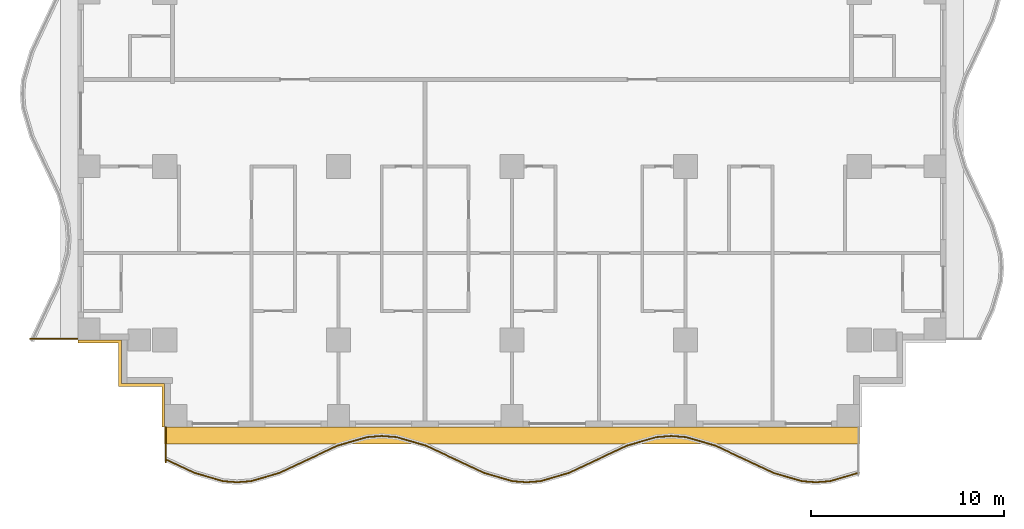
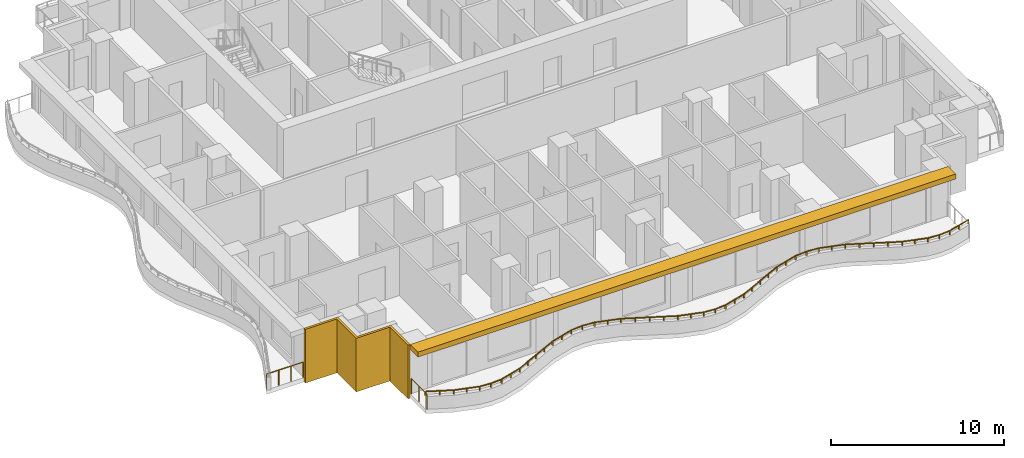
# One storey, part 7 of 10: 3 railings, 2 shading devices.
"""IFC4 building model written with IfcOpenShell, lengths in metres."""

from ifc_helpers import new_model, si_unit, direction, frame, origin, origin_2d, place, context, subcontext, project, spatial, polyline, rectangle, outline, extrude, material, layer, layer_set, type_object, element, save


model = new_model("IFC4")

# Units and contexts
model_context = context("Model", 3, precision=1e-05, world=origin(), true_north=direction((0.0, 1.0)))
body_context = subcontext(model_context, "Body", "Model", "MODEL_VIEW")
ifc_project = project(units=[si_unit("LENGTHUNIT", "METRE"), si_unit("AREAUNIT", "SQUARE_METRE"), si_unit("VOLUMEUNIT", "CUBIC_METRE"), si_unit("PLANEANGLEUNIT", "RADIAN"), si_unit("MASSUNIT", "GRAM", prefix="KILO")], contexts=[model_context])

# Site, building, storey
site_placement = place(None, origin())
site = spatial("IfcSite", under=ifc_project, at=site_placement, CompositionType="ELEMENT")
building_placement = place(site_placement, origin())
building = spatial("IfcBuilding", under=site, at=building_placement, Name="Orbiselva Terraces", CompositionType="ELEMENT")
storey_placement = place(building_placement, frame((0.0, 0.0, 144.0)))
storey = spatial("IfcBuildingStorey", under=building, at=storey_placement, Name="L36", CompositionType="ELEMENT", Elevation=144.0)

# Railings
ifc_material_1 = material(Name="Bonded two-ply safety glass balustrade, stainless steel posts", Category="steel")
railing_type_1 = type_object("IfcRailingType", Name="ENV-BALUSTRADE-1200", PredefinedType="BALUSTRADE", material=ifc_material_1)
railing_1_placement = place(storey_placement, frame((-17.946809, -19.686882, 0.9)))
element("IfcRailing", 1, at=railing_1_placement, inside=storey, type_object=railing_type_1, Name="Balcony balustrade L36 S", PredefinedType="BALUSTRADE", context=body_context, shape_type="SweptSolid", body=[
    extrude(outline(polyline([(0.028868, 0.0), (0.014434, 0.025), (-0.014434, 0.025), (-0.028868, 0.0), (-0.014434, -0.025), (0.014434, -0.025), (0.028868, 0.0)])), frame((0.0, 0.0, 0.275), z_axis=(0.904944359461, -0.425529912322, 0.0), x_axis=(0.425529912322, 0.904944359461, 0.0)), (0.0, 0.0, 1.0), 1.647746),
    extrude(outline(polyline([(0.028868, 0.0), (0.014434, 0.025), (-0.014434, 0.025), (-0.028868, 0.0), (-0.014434, -0.025), (0.014434, -0.025), (0.028868, 0.0)])), frame((1.491118, -0.701165, 0.275), z_axis=(0.960270317007, -0.279071528957, 0.0), x_axis=(0.279071528957, 0.960270317007, 0.0)), (0.0, 0.0, 1.0), 1.539408),
    extrude(outline(polyline([(0.028868, 0.0), (0.014434, 0.025), (-0.014434, 0.025), (-0.028868, 0.0), (-0.014434, -0.025), (0.014434, -0.025), (0.028868, 0.0)])), frame((2.969366, -1.13077, 0.275), z_axis=(0.996947916106, -0.078069536776, 0.0), x_axis=(0.078069536776, 0.996947916106, 0.0)), (0.0, 0.0, 1.0), 0.72967),
    extrude(outline(polyline([(0.028868, 0.0), (0.014434, 0.025), (-0.014434, 0.025), (-0.028868, 0.0), (-0.014434, -0.025), (0.014434, -0.025), (0.028868, 0.0)])), frame((3.696809, -1.187735, 0.275), z_axis=(0.996947916106, 0.078069536776, 0.0), x_axis=(-0.078069536776, 0.996947916106, 0.0)), (0.0, 0.0, 1.0), 0.72967),
    extrude(outline(polyline([(0.028868, 0.0), (0.014434, 0.025), (-0.014434, 0.025), (-0.028868, 0.0), (-0.014434, -0.025), (0.014434, -0.025), (0.028868, 0.0)])), frame((4.424252, -1.13077, 0.275), z_axis=(0.960270317007, 0.279071528957, 0.0), x_axis=(-0.279071528957, 0.960270317007, 0.0)), (0.0, 0.0, 1.0), 1.539408),
    extrude(outline(polyline([(0.028868, 0.0), (0.014434, 0.025), (-0.014434, 0.025), (-0.028868, 0.0), (-0.014434, -0.025), (0.014434, -0.025), (0.028868, 0.0)])), frame((5.9025, -0.701165, 0.275), z_axis=(0.904944359461, 0.425529912322, 0.0), x_axis=(-0.425529912322, 0.904944359461, 0.0)), (0.0, 0.0, 1.0), 1.647746),
    extrude(outline(polyline([(0.028868, 0.0), (0.014434, 0.025), (-0.014434, 0.025), (-0.028868, 0.0), (-0.014434, -0.025), (0.014434, -0.025), (0.028868, 0.0)])), frame((7.393618, 0.0, 0.275), z_axis=(0.904944157382, 0.425530342069, 0.0), x_axis=(-0.425530342069, 0.904944157382, 0.0)), (0.0, 0.0, 1.0), 1.667376),
    extrude(outline(polyline([(0.028868, 0.0), (0.014434, 0.025), (-0.014434, 0.025), (-0.028868, 0.0), (-0.014434, -0.025), (0.014434, -0.025), (0.028868, 0.0)])), frame((8.9025, 0.709519, 0.275), z_axis=(0.960270491427, 0.279070928786, 0.0), x_axis=(-0.279070928786, 0.960270491427, 0.0)), (0.0, 0.0, 1.0), 1.584712),
    extrude(outline(polyline([(0.028868, 0.0), (0.014434, 0.025), (-0.014434, 0.025), (-0.028868, 0.0), (-0.014434, -0.025), (0.014434, -0.025), (0.028868, 0.0)])), frame((10.424252, 1.151766, 0.275), z_axis=(0.996947796737, 0.078071061106, 0.0), x_axis=(-0.078071061106, 0.996947796737, 0.0)), (0.0, 0.0, 1.0), 0.774922),
    extrude(outline(polyline([(0.028868, 0.0), (0.014434, 0.025), (-0.014434, 0.025), (-0.028868, 0.0), (-0.014434, -0.025), (0.014434, -0.025), (0.028868, 0.0)])), frame((11.196809, 1.212265, 0.275), z_axis=(0.996947796737, -0.078071061106, 0.0), x_axis=(0.078071061106, 0.996947796737, 0.0)), (0.0, 0.0, 1.0), 0.774922),
    extrude(outline(polyline([(0.028868, 0.0), (0.014434, 0.025), (-0.014434, 0.025), (-0.028868, 0.0), (-0.014434, -0.025), (0.014434, -0.025), (0.028868, 0.0)])), frame((11.969366, 1.151766, 0.275), z_axis=(0.960270491427, -0.279070928786, 0.0), x_axis=(0.279070928786, 0.960270491427, 0.0)), (0.0, 0.0, 1.0), 1.584712),
    extrude(outline(polyline([(0.028868, 0.0), (0.014434, 0.025), (-0.014434, 0.025), (-0.028868, 0.0), (-0.014434, -0.025), (0.014434, -0.025), (0.028868, 0.0)])), frame((13.491118, 0.709519, 0.275), z_axis=(0.904944157382, -0.425530342069, 0.0), x_axis=(0.425530342069, 0.904944157382, 0.0)), (0.0, 0.0, 1.0), 1.667376),
    extrude(outline(polyline([(0.028868, 0.0), (0.014434, 0.025), (-0.014434, 0.025), (-0.028868, 0.0), (-0.014434, -0.025), (0.014434, -0.025), (0.028868, 0.0)])), frame((15.0, 0.0, 0.275), z_axis=(0.904944359461, -0.425529912322, 0.0), x_axis=(0.425529912322, 0.904944359461, 0.0)), (0.0, 0.0, 1.0), 1.647746),
    extrude(outline(polyline([(0.028868, 0.0), (0.014434, 0.025), (-0.014434, 0.025), (-0.028868, 0.0), (-0.014434, -0.025), (0.014434, -0.025), (0.028868, 0.0)])), frame((16.491118, -0.701165, 0.275), z_axis=(0.960270317007, -0.279071528957, 0.0), x_axis=(0.279071528957, 0.960270317007, 0.0)), (0.0, 0.0, 1.0), 1.539408),
    extrude(outline(polyline([(0.028868, 0.0), (0.014434, 0.025), (-0.014434, 0.025), (-0.028868, 0.0), (-0.014434, -0.025), (0.014434, -0.025), (0.028868, 0.0)])), frame((17.969366, -1.13077, 0.275), z_axis=(0.996947916106, -0.078069536776, 0.0), x_axis=(0.078069536776, 0.996947916106, 0.0)), (0.0, 0.0, 1.0), 0.72967),
    extrude(outline(polyline([(0.028868, 0.0), (0.014434, 0.025), (-0.014434, 0.025), (-0.028868, 0.0), (-0.014434, -0.025), (0.014434, -0.025), (0.028868, 0.0)])), frame((18.696809, -1.187735, 0.275), z_axis=(0.996947916106, 0.078069536776, 0.0), x_axis=(-0.078069536776, 0.996947916106, 0.0)), (0.0, 0.0, 1.0), 0.72967),
    extrude(outline(polyline([(0.028868, 0.0), (0.014434, 0.025), (-0.014434, 0.025), (-0.028868, 0.0), (-0.014434, -0.025), (0.014434, -0.025), (0.028868, 0.0)])), frame((19.424252, -1.13077, 0.275), z_axis=(0.960270317007, 0.279071528957, 0.0), x_axis=(-0.279071528957, 0.960270317007, 0.0)), (0.0, 0.0, 1.0), 1.539408),
    extrude(outline(polyline([(0.028868, 0.0), (0.014434, 0.025), (-0.014434, 0.025), (-0.028868, 0.0), (-0.014434, -0.025), (0.014434, -0.025), (0.028868, 0.0)])), frame((20.9025, -0.701165, 0.275), z_axis=(0.904944359461, 0.425529912322, 0.0), x_axis=(-0.425529912322, 0.904944359461, 0.0)), (0.0, 0.0, 1.0), 1.647746),
    extrude(outline(polyline([(0.028868, 0.0), (0.014434, 0.025), (-0.014434, 0.025), (-0.028868, 0.0), (-0.014434, -0.025), (0.014434, -0.025), (0.028868, 0.0)])), frame((22.393618, 0.0, 0.275), z_axis=(0.904944157382, 0.425530342069, 0.0), x_axis=(-0.425530342069, 0.904944157382, 0.0)), (0.0, 0.0, 1.0), 1.667376),
    extrude(outline(polyline([(0.028868, 0.0), (0.014434, 0.025), (-0.014434, 0.025), (-0.028868, 0.0), (-0.014434, -0.025), (0.014434, -0.025), (0.028868, 0.0)])), frame((23.9025, 0.709519, 0.275), z_axis=(0.960270491427, 0.279070928786, 0.0), x_axis=(-0.279070928786, 0.960270491427, 0.0)), (0.0, 0.0, 1.0), 1.584712),
    extrude(outline(polyline([(0.028868, 0.0), (0.014434, 0.025), (-0.014434, 0.025), (-0.028868, 0.0), (-0.014434, -0.025), (0.014434, -0.025), (0.028868, 0.0)])), frame((25.424252, 1.151766, 0.275), z_axis=(0.996947796737, 0.078071061106, 0.0), x_axis=(-0.078071061106, 0.996947796737, 0.0)), (0.0, 0.0, 1.0), 0.774922),
    extrude(outline(polyline([(0.028868, 0.0), (0.014434, 0.025), (-0.014434, 0.025), (-0.028868, 0.0), (-0.014434, -0.025), (0.014434, -0.025), (0.028868, 0.0)])), frame((26.196809, 1.212265, 0.275), z_axis=(0.996947796737, -0.078071061106, 0.0), x_axis=(0.078071061106, 0.996947796737, 0.0)), (0.0, 0.0, 1.0), 0.774922),
    extrude(outline(polyline([(0.028868, 0.0), (0.014434, 0.025), (-0.014434, 0.025), (-0.028868, 0.0), (-0.014434, -0.025), (0.014434, -0.025), (0.028868, 0.0)])), frame((26.969366, 1.151766, 0.275), z_axis=(0.960270491427, -0.279070928786, 0.0), x_axis=(0.279070928786, 0.960270491427, 0.0)), (0.0, 0.0, 1.0), 1.584712),
    extrude(outline(polyline([(0.028868, 0.0), (0.014434, 0.025), (-0.014434, 0.025), (-0.028868, 0.0), (-0.014434, -0.025), (0.014434, -0.025), (0.028868, 0.0)])), frame((28.491118, 0.709519, 0.275), z_axis=(0.904944157382, -0.425530342069, 0.0), x_axis=(0.425530342069, 0.904944157382, 0.0)), (0.0, 0.0, 1.0), 1.667376),
    extrude(outline(polyline([(0.028868, 0.0), (0.014434, 0.025), (-0.014434, 0.025), (-0.028868, 0.0), (-0.014434, -0.025), (0.014434, -0.025), (0.028868, 0.0)])), frame((30.0, 0.0, 0.275), z_axis=(0.904944359461, -0.425529912322, 0.0), x_axis=(0.425529912322, 0.904944359461, 0.0)), (0.0, 0.0, 1.0), 1.647746),
    extrude(outline(polyline([(0.028868, 0.0), (0.014434, 0.025), (-0.014434, 0.025), (-0.028868, 0.0), (-0.014434, -0.025), (0.014434, -0.025), (0.028868, 0.0)])), frame((31.491118, -0.701165, 0.275), z_axis=(0.960270317007, -0.279071528957, 0.0), x_axis=(0.279071528957, 0.960270317007, 0.0)), (0.0, 0.0, 1.0), 1.539408),
    extrude(outline(polyline([(0.028868, 0.0), (0.014434, 0.025), (-0.014434, 0.025), (-0.028868, 0.0), (-0.014434, -0.025), (0.014434, -0.025), (0.028868, 0.0)])), frame((32.969366, -1.13077, 0.275), z_axis=(0.996947916106, -0.078069536776, 0.0), x_axis=(0.078069536776, 0.996947916106, 0.0)), (0.0, 0.0, 1.0), 0.72967),
    extrude(outline(polyline([(0.028868, 0.0), (0.014434, 0.025), (-0.014434, 0.025), (-0.028868, 0.0), (-0.014434, -0.025), (0.014434, -0.025), (0.028868, 0.0)])), frame((33.696809, -1.187735, 0.275), z_axis=(0.996947916106, 0.078069536776, 0.0), x_axis=(-0.078069536776, 0.996947916106, 0.0)), (0.0, 0.0, 1.0), 0.72967),
    extrude(outline(polyline([(0.028868, 0.0), (0.014434, 0.025), (-0.014434, 0.025), (-0.028868, 0.0), (-0.014434, -0.025), (0.014434, -0.025), (0.028868, 0.0)])), frame((34.424252, -1.13077, 0.275), z_axis=(0.960270329394, 0.279071486336, 0.0), x_axis=(-0.279071486336, 0.960270329394, 0.0)), (0.0, 0.0, 1.0), 1.549223),
    extrude(rectangle(XDim=0.05, YDim=0.05, at=origin_2d()), origin(), (0.0, 0.0, 1.0), 0.25),
    extrude(rectangle(XDim=0.05, YDim=0.05, at=origin_2d()), frame((0.745559, -0.350582, 0.0)), (0.0, 0.0, 1.0), 0.25),
    extrude(rectangle(XDim=0.05, YDim=0.05, at=origin_2d()), frame((1.491118, -0.701165, 0.0)), (0.0, 0.0, 1.0), 0.25),
    extrude(rectangle(XDim=0.05, YDim=0.05, at=origin_2d()), frame((2.230242, -0.915967, 0.0)), (0.0, 0.0, 1.0), 0.25),
    extrude(rectangle(XDim=0.05, YDim=0.05, at=origin_2d()), frame((2.969366, -1.13077, 0.0)), (0.0, 0.0, 1.0), 0.25),
    extrude(rectangle(XDim=0.05, YDim=0.05, at=origin_2d()), frame((3.696809, -1.187735, 0.0)), (0.0, 0.0, 1.0), 0.25),
    extrude(rectangle(XDim=0.05, YDim=0.05, at=origin_2d()), frame((4.424252, -1.13077, 0.0)), (0.0, 0.0, 1.0), 0.25),
    extrude(rectangle(XDim=0.05, YDim=0.05, at=origin_2d()), frame((5.163376, -0.915967, 0.0)), (0.0, 0.0, 1.0), 0.25),
    extrude(rectangle(XDim=0.05, YDim=0.05, at=origin_2d()), frame((5.9025, -0.701165, 0.0)), (0.0, 0.0, 1.0), 0.25),
    extrude(rectangle(XDim=0.05, YDim=0.05, at=origin_2d()), frame((6.648059, -0.350582, 0.0)), (0.0, 0.0, 1.0), 0.25),
    extrude(rectangle(XDim=0.05, YDim=0.05, at=origin_2d()), frame((7.393618, 0.0, 0.0)), (0.0, 0.0, 1.0), 0.25),
    extrude(rectangle(XDim=0.05, YDim=0.05, at=origin_2d()), frame((8.148059, 0.35476, 0.0)), (0.0, 0.0, 1.0), 0.25),
    extrude(rectangle(XDim=0.05, YDim=0.05, at=origin_2d()), frame((8.9025, 0.709519, 0.0)), (0.0, 0.0, 1.0), 0.25),
    extrude(rectangle(XDim=0.05, YDim=0.05, at=origin_2d()), frame((9.663376, 0.930643, 0.0)), (0.0, 0.0, 1.0), 0.25),
    extrude(rectangle(XDim=0.05, YDim=0.05, at=origin_2d()), frame((10.424252, 1.151766, 0.0)), (0.0, 0.0, 1.0), 0.25),
    extrude(rectangle(XDim=0.05, YDim=0.05, at=origin_2d()), frame((11.196809, 1.212265, 0.0)), (0.0, 0.0, 1.0), 0.25),
    extrude(rectangle(XDim=0.05, YDim=0.05, at=origin_2d()), frame((11.969366, 1.151766, 0.0)), (0.0, 0.0, 1.0), 0.25),
    extrude(rectangle(XDim=0.05, YDim=0.05, at=origin_2d()), frame((12.730242, 0.930643, 0.0)), (0.0, 0.0, 1.0), 0.25),
    extrude(rectangle(XDim=0.05, YDim=0.05, at=origin_2d()), frame((13.491118, 0.709519, 0.0)), (0.0, 0.0, 1.0), 0.25),
    extrude(rectangle(XDim=0.05, YDim=0.05, at=origin_2d()), frame((14.245559, 0.35476, 0.0)), (0.0, 0.0, 1.0), 0.25),
    extrude(rectangle(XDim=0.05, YDim=0.05, at=origin_2d()), frame((15.0, 0.0, 0.0)), (0.0, 0.0, 1.0), 0.25),
    extrude(rectangle(XDim=0.05, YDim=0.05, at=origin_2d()), frame((15.745559, -0.350582, 0.0)), (0.0, 0.0, 1.0), 0.25),
    extrude(rectangle(XDim=0.05, YDim=0.05, at=origin_2d()), frame((16.491118, -0.701165, 0.0)), (0.0, 0.0, 1.0), 0.25),
    extrude(rectangle(XDim=0.05, YDim=0.05, at=origin_2d()), frame((17.230242, -0.915967, 0.0)), (0.0, 0.0, 1.0), 0.25),
    extrude(rectangle(XDim=0.05, YDim=0.05, at=origin_2d()), frame((17.969366, -1.13077, 0.0)), (0.0, 0.0, 1.0), 0.25),
    extrude(rectangle(XDim=0.05, YDim=0.05, at=origin_2d()), frame((18.696809, -1.187735, 0.0)), (0.0, 0.0, 1.0), 0.25),
    extrude(rectangle(XDim=0.05, YDim=0.05, at=origin_2d()), frame((19.424252, -1.13077, 0.0)), (0.0, 0.0, 1.0), 0.25),
    extrude(rectangle(XDim=0.05, YDim=0.05, at=origin_2d()), frame((20.163376, -0.915967, 0.0)), (0.0, 0.0, 1.0), 0.25),
    extrude(rectangle(XDim=0.05, YDim=0.05, at=origin_2d()), frame((20.9025, -0.701165, 0.0)), (0.0, 0.0, 1.0), 0.25),
    extrude(rectangle(XDim=0.05, YDim=0.05, at=origin_2d()), frame((21.648059, -0.350582, 0.0)), (0.0, 0.0, 1.0), 0.25),
    extrude(rectangle(XDim=0.05, YDim=0.05, at=origin_2d()), frame((22.393618, 0.0, 0.0)), (0.0, 0.0, 1.0), 0.25),
    extrude(rectangle(XDim=0.05, YDim=0.05, at=origin_2d()), frame((23.148059, 0.35476, 0.0)), (0.0, 0.0, 1.0), 0.25),
    extrude(rectangle(XDim=0.05, YDim=0.05, at=origin_2d()), frame((23.9025, 0.709519, 0.0)), (0.0, 0.0, 1.0), 0.25),
    extrude(rectangle(XDim=0.05, YDim=0.05, at=origin_2d()), frame((24.663376, 0.930643, 0.0)), (0.0, 0.0, 1.0), 0.25),
    extrude(rectangle(XDim=0.05, YDim=0.05, at=origin_2d()), frame((25.424252, 1.151766, 0.0)), (0.0, 0.0, 1.0), 0.25),
    extrude(rectangle(XDim=0.05, YDim=0.05, at=origin_2d()), frame((26.196809, 1.212265, 0.0)), (0.0, 0.0, 1.0), 0.25),
    extrude(rectangle(XDim=0.05, YDim=0.05, at=origin_2d()), frame((26.969366, 1.151766, 0.0)), (0.0, 0.0, 1.0), 0.25),
    extrude(rectangle(XDim=0.05, YDim=0.05, at=origin_2d()), frame((27.730242, 0.930643, 0.0)), (0.0, 0.0, 1.0), 0.25),
    extrude(rectangle(XDim=0.05, YDim=0.05, at=origin_2d()), frame((28.491118, 0.709519, 0.0)), (0.0, 0.0, 1.0), 0.25),
    extrude(rectangle(XDim=0.05, YDim=0.05, at=origin_2d()), frame((29.245559, 0.35476, 0.0)), (0.0, 0.0, 1.0), 0.25),
    extrude(rectangle(XDim=0.05, YDim=0.05, at=origin_2d()), frame((30.0, 0.0, 0.0)), (0.0, 0.0, 1.0), 0.25),
    extrude(rectangle(XDim=0.05, YDim=0.05, at=origin_2d()), frame((30.745559, -0.350582, 0.0)), (0.0, 0.0, 1.0), 0.25),
    extrude(rectangle(XDim=0.05, YDim=0.05, at=origin_2d()), frame((31.491118, -0.701165, 0.0)), (0.0, 0.0, 1.0), 0.25),
    extrude(rectangle(XDim=0.05, YDim=0.05, at=origin_2d()), frame((32.230242, -0.915967, 0.0)), (0.0, 0.0, 1.0), 0.25),
    extrude(rectangle(XDim=0.05, YDim=0.05, at=origin_2d()), frame((32.969366, -1.13077, 0.0)), (0.0, 0.0, 1.0), 0.25),
    extrude(rectangle(XDim=0.05, YDim=0.05, at=origin_2d()), frame((33.696809, -1.187735, 0.0)), (0.0, 0.0, 1.0), 0.25),
    extrude(rectangle(XDim=0.05, YDim=0.05, at=origin_2d()), frame((34.424252, -1.13077, 0.0)), (0.0, 0.0, 1.0), 0.25),
    extrude(rectangle(XDim=0.05, YDim=0.05, at=origin_2d()), frame((35.168088, -0.914598, 0.0)), (0.0, 0.0, 1.0), 0.25),
    extrude(rectangle(XDim=0.05, YDim=0.05, at=origin_2d()), frame((35.911925, -0.698426, 0.0)), (0.0, 0.0, 1.0), 0.25),
])
ifc_material_2 = material(Name="Stainless steel rail and posts", Category="steel")
railing_type_2 = type_object("IfcRailingType", Name="ENV-GUARD-1105", PredefinedType="BALUSTRADE", material=ifc_material_2)
railing_2_placement = place(storey_placement, frame((-17.94, -19.830156, 0.0)))
element("IfcRailing", 2, at=railing_2_placement, inside=storey, type_object=railing_type_2, Name="Balcony end guard L36 S", PredefinedType="BALUSTRADE", context=body_context, shape_type="SweptSolid", body=[
    extrude(outline(polyline([(0.028868, 0.0), (0.014434, 0.025), (-0.014434, 0.025), (-0.028868, 0.0), (-0.014434, -0.025), (0.014434, -0.025), (0.028868, 0.0)])), frame((0.0, 0.0, 1.08), z_axis=(0.0, 1.0, 0.0), x_axis=(-1.0, 0.0, 0.0)), (0.0, 0.0, 1.0), 1.805156),
    extrude(rectangle(XDim=0.05, YDim=0.05, at=origin_2d()), origin(), (0.0, 0.0, 1.0), 1.055),
    extrude(rectangle(XDim=0.05, YDim=0.05, at=origin_2d()), frame((0.0, 0.902578, 0.0)), (0.0, 0.0, 1.0), 1.055),
    extrude(rectangle(XDim=0.05, YDim=0.05, at=origin_2d()), frame((0.0, 1.805156, 0.0)), (0.0, 0.0, 1.0), 1.055),
])
railing_3_placement = place(storey_placement, frame((-24.980723, -13.44, 0.0)))
element("IfcRailing", 3, at=railing_3_placement, inside=storey, type_object=railing_type_2, Name="Balcony end guard L36 W", PredefinedType="BALUSTRADE", context=body_context, shape_type="SweptSolid", body=[
    extrude(outline(polyline([(0.028868, 0.0), (0.014434, 0.025), (-0.014434, 0.025), (-0.028868, 0.0), (-0.014434, -0.025), (0.014434, -0.025), (0.028868, 0.0)])), frame((0.0, 0.0, 1.08), z_axis=(1.0, 0.0, 0.0), x_axis=(0.0, 1.0, 0.0)), (0.0, 0.0, 1.0), 2.455723),
    extrude(rectangle(XDim=0.05, YDim=0.05, at=origin_2d()), origin(), (0.0, 0.0, 1.0), 1.055),
    extrude(rectangle(XDim=0.05, YDim=0.05, at=origin_2d()), frame((0.818574, 0.0, 0.0)), (0.0, 0.0, 1.0), 1.055),
    extrude(rectangle(XDim=0.05, YDim=0.05, at=origin_2d()), frame((1.637149, 0.0, 0.0)), (0.0, 0.0, 1.0), 1.055),
    extrude(rectangle(XDim=0.05, YDim=0.05, at=origin_2d()), frame((2.455723, 0.0, 0.0)), (0.0, 0.0, 1.0), 1.055),
])

# Shading devices
ifc_material_3 = material(Name="Terracotta louvre screen", Category="masonry")
ifc_layer_1 = layer(ifc_material_3, 0.15)
ifc_layer_set_1 = layer_set([ifc_layer_1], Name="Terracotta louvre screen")
shading_device_type_1 = type_object("IfcShadingDeviceType", Name="ENV-SCREEN-150", PredefinedType="USERDEFINED", material=ifc_layer_set_1)
shading_device_1_placement = place(storey_placement, frame((0.0, 0.0, -0.3)))
element("IfcShadingDevice", 4, at=shading_device_1_placement, inside=storey, type_object=shading_device_type_1, Name="Louvre screen L36 SW", ObjectType="SCREEN", PredefinedType="USERDEFINED", context=body_context, shape_type="SweptSolid", body=[
    extrude(outline(polyline([(-22.5, -13.65), (-20.4, -13.65), (-20.4, -15.9), (-18.15, -15.9), (-18.15, -18.0), (-18.0, -18.0), (-18.0, -15.75), (-20.25, -15.75), (-20.25, -13.5), (-22.5, -13.5), (-22.5, -13.65)])), origin(), (0.0, 0.0, 1.0), 3.8),
])
ifc_material_4 = material(Name="Terracotta baguette sunshade", Category="masonry")
ifc_layer_2 = layer(ifc_material_4, 0.35)
ifc_layer_set_2 = layer_set([ifc_layer_2], Name="Terracotta baguette sunshade")
shading_device_type_2 = type_object("IfcShadingDeviceType", Name="ENV-SUNSHADE-900x350", PredefinedType="USERDEFINED", material=ifc_layer_set_2)
shading_device_2_placement = place(storey_placement, frame((0.0, 0.0, 3.15)))
element("IfcShadingDevice", 5, at=shading_device_2_placement, inside=storey, type_object=shading_device_type_2, Name="Sunshade band L36 S", ObjectType="SUNSHADE", PredefinedType="USERDEFINED", context=body_context, shape_type="SweptSolid", body=[
    extrude(outline(polyline([(-18.0, -18.9), (18.0, -18.9), (18.0, -18.0), (-18.0, -18.0), (-18.0, -18.9)])), origin(), (0.0, 0.0, 1.0), 0.35),
])

save(model, "model.ifc")
